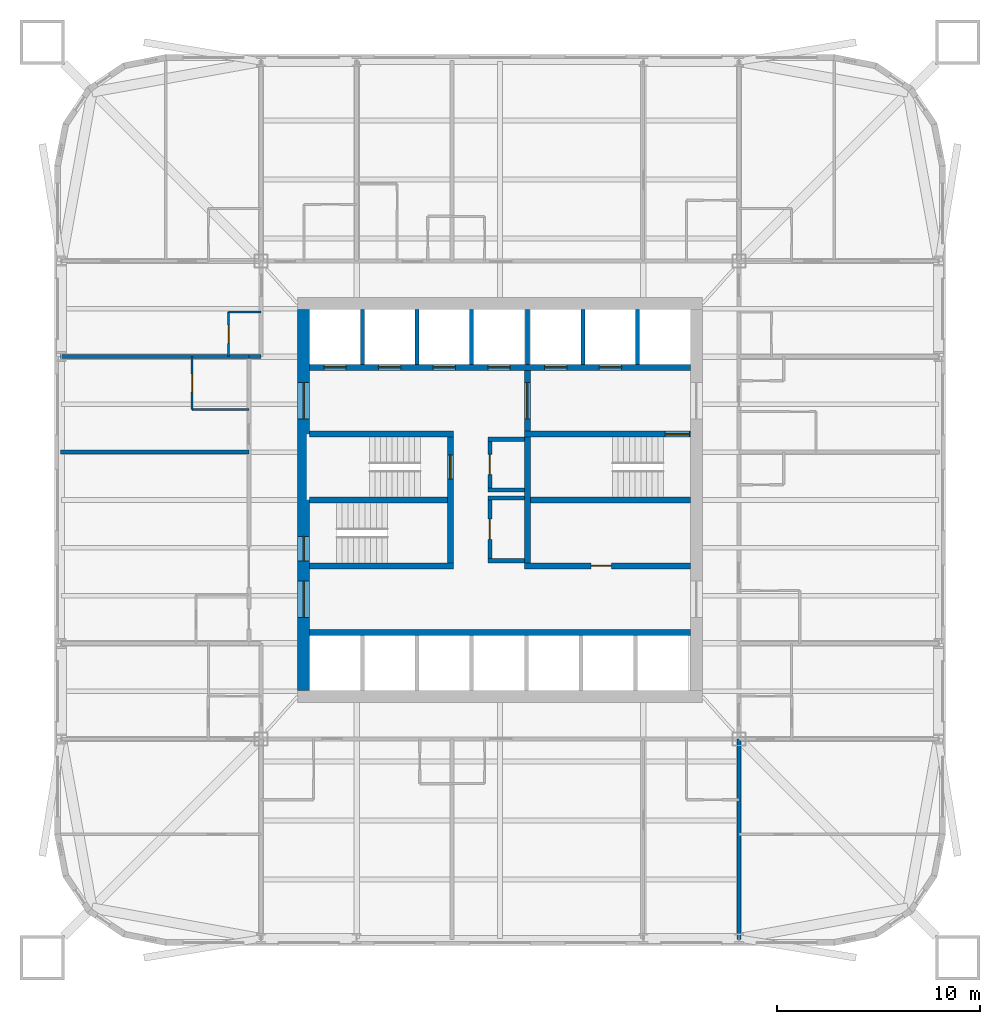
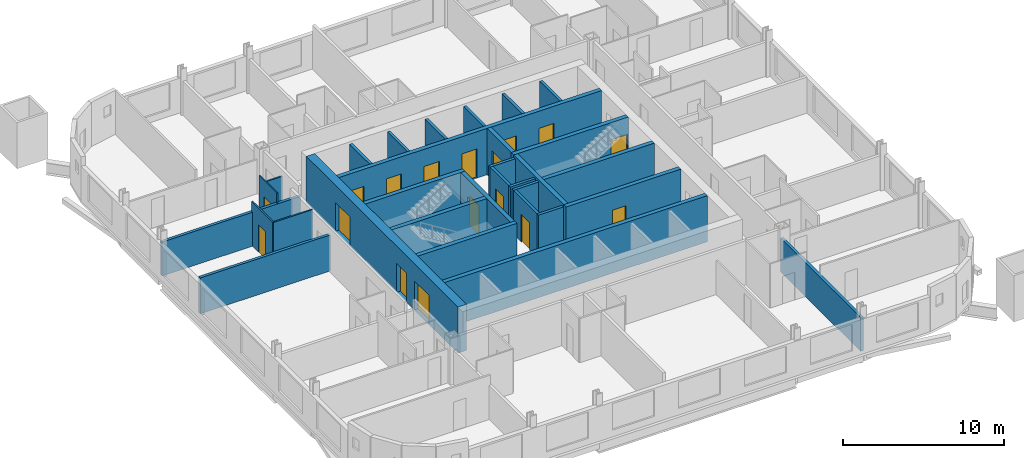
# One storey, part 4 of 9: 31 walls, 17 doors, 17 openings.
"""IFC4 building model written with IfcOpenShell, lengths in metres."""

from ifc_helpers import new_model, si_unit, direction, frame, frame_2d, origin, place, context, subcontext, project, spatial, rectangle, extrude, material, layer, layer_set, type_object, element, fill, save


model = new_model("IFC4")

# Units and contexts
model_context = context("Model", 3, precision=1e-05, world=origin(), true_north=direction((0.0, 1.0)))
body_context = subcontext(model_context, "Body", "Model", "MODEL_VIEW")
ifc_project = project(units=[si_unit("LENGTHUNIT", "METRE"), si_unit("AREAUNIT", "SQUARE_METRE"), si_unit("VOLUMEUNIT", "CUBIC_METRE"), si_unit("PLANEANGLEUNIT", "RADIAN"), si_unit("MASSUNIT", "GRAM", prefix="KILO")], contexts=[model_context])

# Site, building, storey
site_placement = place(None, origin())
site = spatial("IfcSite", under=ifc_project, at=site_placement, CompositionType="ELEMENT")
building_placement = place(site_placement, origin())
building = spatial("IfcBuilding", under=site, at=building_placement, Name="Turquesa Mirador Hotel Tower", CompositionType="ELEMENT")
storey_placement = place(building_placement, frame((0.0, 0.0, 81.0)))
storey = spatial("IfcBuildingStorey", under=building, at=storey_placement, Name="L21", CompositionType="ELEMENT", Elevation=81.0)

# Walls
ifc_material_1 = material(Name="Gypsum board on steel studs", Category="steel")
ifc_layer_1 = layer(ifc_material_1, 0.10009765625)
ifc_layer_set_1 = layer_set([ifc_layer_1], Name="BATHROOM WALL 100")
wall_type_1 = type_object("IfcWallType", Name="BATHROOM WALL 100", PredefinedType="PARTITIONING", material=ifc_layer_set_1)
wall_1_placement = place(storey_placement, frame((39.800048828125, 49.47998046875, 0.0), z_axis=(0.0, 0.0, 1.0), x_axis=(1.0, 0.0, 0.0)))
element("IfcWall", 1, at=wall_1_placement, inside=storey, type_object=wall_type_1, Name="Partition L21 033", PredefinedType="PARTITIONING", context=body_context, shape_type="SweptSolid", body=[
    extrude(rectangle(XDim=2.800048828125, YDim=0.10009765625, at=frame_2d((1.39990234375, 0.0))), origin(), (0.0, 0.0, 1.0), 3.330078125),
])
wall_2_placement = place(storey_placement, frame((41.60009765625, 54.280029296875, 0.0), z_axis=(0.0, 0.0, 1.0), x_axis=(1.0, 0.0, 0.0)))
element("IfcWall", 2, at=wall_2_placement, inside=storey, type_object=wall_type_1, Name="Partition L21 038", PredefinedType="PARTITIONING", context=body_context, shape_type="SweptSolid", body=[
    extrude(rectangle(XDim=1.599853515625, YDim=0.10009765625, at=frame_2d((0.7998046875, 0.0))), origin(), (0.0, 0.0, 1.0), 2.722900390625),
])

# Wall, opening, door
wall_3_placement = place(storey_placement, frame((41.60009765625, 52.080078125, 0.0), z_axis=(0.0, 0.0, 1.0), x_axis=(0.0, 1.0, 0.0)))
wall_3 = element("IfcWall", 3, at=wall_3_placement, inside=storey, type_object=wall_type_1, Name="Partition L21 047", PredefinedType="PARTITIONING", context=body_context, shape_type="SweptSolid", body=[
    extrude(rectangle(XDim=2.199951171875, YDim=0.10009765625, at=frame_2d((1.10009765625, 0.0))), origin(), (0.0, 0.0, 1.0), 3.330078125),
])
opening_1_placement = place(wall_3_placement, frame((0.64990234375, 0.0, 0.0)))
opening_1 = element("IfcOpeningElement", 4, at=opening_1_placement, cuts=wall_3, Name="Opening D06", PredefinedType="OPENING", context=body_context, shape_type="SweptSolid", body=[
    extrude(rectangle(XDim=0.89990234375, YDim=2.10009765625, at=frame_2d((0.449951171875, 1.050048828125))), frame((0.0, 0.06005859375, 0.0), z_axis=(0.0, -1.0, 0.0), x_axis=(1.0, 0.0, 0.0)), (0.0, 0.0, 1.0), 0.1201171875),
])
ifc_material_2 = material(Name="Laminate door", Category="wood")
door_type_1 = type_object("IfcDoorType", Name="DOOR 900X2100 WC", OperationType="SINGLE_SWING_LEFT", PredefinedType="DOOR", material=ifc_material_2)
door_1_placement = place(opening_1_placement, origin())
door_1 = element("IfcDoor", 5, at=door_1_placement, inside=storey, type_object=door_type_1, Name="Door 2110W", OperationType="SINGLE_SWING_LEFT", OverallHeight=2.10009765625, OverallWidth=0.89990234375, PredefinedType="DOOR", context=body_context, shape_type="SweptSolid", body=[
    extrude(rectangle(XDim=0.89990234375, YDim=2.10009765625, at=frame_2d((0.449951171875, 1.050048828125))), frame((0.0, 0.02490234375, 0.0), z_axis=(0.0, -1.0, 0.0), x_axis=(1.0, 0.0, 0.0)), (0.0, 0.0, 1.0), 0.050048828125),
])
fill(opening_1, door_1)

wall_4_placement = place(storey_placement, frame((39.800048828125, 49.47998046875, 0.0), z_axis=(0.0, 0.0, 1.0), x_axis=(0.0, 1.0, 0.0)))
wall_4 = element("IfcWall", 6, at=wall_4_placement, inside=storey, type_object=wall_type_1, Name="Partition L21 052", PredefinedType="PARTITIONING", context=body_context, shape_type="SweptSolid", body=[
    extrude(rectangle(XDim=2.60009765625, YDim=0.10009765625, at=frame_2d((1.300048828125, 0.0))), origin(), (0.0, 0.0, 1.0), 3.330078125),
])
opening_2_placement = place(wall_4_placement, frame((0.85009765625, 0.0, 0.0)))
opening_2 = element("IfcOpeningElement", 7, at=opening_2_placement, cuts=wall_4, Name="Opening D02", PredefinedType="OPENING", context=body_context, shape_type="SweptSolid", body=[
    extrude(rectangle(XDim=0.89990234375, YDim=2.10009765625, at=frame_2d((0.449951171875, 1.050048828125))), frame((0.0, 0.06005859375, 0.0), z_axis=(0.0, -1.0, 0.0), x_axis=(1.0, 0.0, 0.0)), (0.0, 0.0, 1.0), 0.1201171875),
])
ifc_material_3 = material(Name="Timber veneered door", Category="wood")
door_type_2 = type_object("IfcDoorType", Name="DOOR 900X2100 EN-SUITE", OperationType="SINGLE_SWING_RIGHT", PredefinedType="DOOR", material=ifc_material_3)
door_2_placement = place(opening_2_placement, origin())
door_2 = element("IfcDoor", 8, at=door_2_placement, inside=storey, type_object=door_type_2, Name="Door 2108B", OperationType="SINGLE_SWING_RIGHT", OverallHeight=2.10009765625, OverallWidth=0.89990234375, PredefinedType="DOOR", context=body_context, shape_type="SweptSolid", body=[
    extrude(rectangle(XDim=0.89990234375, YDim=2.10009765625, at=frame_2d((0.449951171875, 1.050048828125))), frame((0.0, 0.02490234375, 0.0), z_axis=(0.0, -1.0, 0.0), x_axis=(1.0, 0.0, 0.0)), (0.0, 0.0, 1.0), 0.050048828125),
])
fill(opening_2, door_2)

# Wall, openings, doors
ifc_material_4 = material(Name="Concrete C50/60", Category="concrete")
ifc_layer_2 = layer(ifc_material_4, 0.300048828125)
ifc_layer_set_2 = layer_set([ifc_layer_2], Name="CORE INNER WALL 300")
wall_type_2 = type_object("IfcWallType", Name="CORE INNER WALL 300", PredefinedType="SHEAR", material=ifc_layer_set_2)
wall_5_placement = place(storey_placement, frame((45.60009765625, 51.550048828125, 0.0), z_axis=(0.0, 0.0, 1.0), x_axis=(1.0, 0.0, 0.0)))
wall_5 = element("IfcWall", 9, at=wall_5_placement, inside=storey, type_object=wall_type_2, Name="Core wall NL", PredefinedType="SHEAR", context=body_context, shape_type="SweptSolid", body=[
    extrude(rectangle(XDim=18.7998046875, YDim=0.300048828125, at=frame_2d((9.39990234375, 0.0))), origin(), (0.0, 0.0, 1.0), 3.5),
])
opening_3_placement = place(wall_5_placement, frame((0.699951171875, 0.0, 0.0)))
opening_3 = element("IfcOpeningElement", 10, at=opening_3_placement, cuts=wall_5, Name="Opening LD", PredefinedType="OPENING", context=body_context, shape_type="SweptSolid", body=[
    extrude(rectangle(XDim=1.10009765625, YDim=2.199951171875, at=frame_2d((0.550048828125, 1.10009765625))), frame((0.0, 0.159912109375, 0.0), z_axis=(0.0, -1.0, 0.0), x_axis=(1.0, 0.0, 0.0)), (0.0, 0.0, 1.0), 0.320068359375),
])
opening_4_placement = place(wall_5_placement, frame((3.39990234375, 0.0, 0.0)))
opening_4 = element("IfcOpeningElement", 11, at=opening_4_placement, cuts=wall_5, Name="Opening LD", PredefinedType="OPENING", context=body_context, shape_type="SweptSolid", body=[
    extrude(rectangle(XDim=1.10009765625, YDim=2.199951171875, at=frame_2d((0.550048828125, 1.10009765625))), frame((0.0, 0.159912109375, 0.0), z_axis=(0.0, -1.0, 0.0), x_axis=(1.0, 0.0, 0.0)), (0.0, 0.0, 1.0), 0.320068359375),
])
opening_5_placement = place(wall_5_placement, frame((6.10009765625, 0.0, 0.0)))
opening_5 = element("IfcOpeningElement", 12, at=opening_5_placement, cuts=wall_5, Name="Opening LD", PredefinedType="OPENING", context=body_context, shape_type="SweptSolid", body=[
    extrude(rectangle(XDim=1.10009765625, YDim=2.199951171875, at=frame_2d((0.550048828125, 1.10009765625))), frame((0.0, 0.159912109375, 0.0), z_axis=(0.0, -1.0, 0.0), x_axis=(1.0, 0.0, 0.0)), (0.0, 0.0, 1.0), 0.320068359375),
])
opening_6_placement = place(wall_5_placement, frame((8.800048828125, 0.0, 0.0)))
opening_6 = element("IfcOpeningElement", 13, at=opening_6_placement, cuts=wall_5, Name="Opening LD", PredefinedType="OPENING", context=body_context, shape_type="SweptSolid", body=[
    extrude(rectangle(XDim=1.10009765625, YDim=2.199951171875, at=frame_2d((0.550048828125, 1.10009765625))), frame((0.0, 0.159912109375, 0.0), z_axis=(0.0, -1.0, 0.0), x_axis=(1.0, 0.0, 0.0)), (0.0, 0.0, 1.0), 0.320068359375),
])
opening_7_placement = place(wall_5_placement, frame((11.60009765625, 0.0, 0.0)))
opening_7 = element("IfcOpeningElement", 14, at=opening_7_placement, cuts=wall_5, Name="Opening LD", PredefinedType="OPENING", context=body_context, shape_type="SweptSolid", body=[
    extrude(rectangle(XDim=1.10009765625, YDim=2.199951171875, at=frame_2d((0.550048828125, 1.10009765625))), frame((0.0, 0.159912109375, 0.0), z_axis=(0.0, -1.0, 0.0), x_axis=(1.0, 0.0, 0.0)), (0.0, 0.0, 1.0), 0.320068359375),
])
opening_8_placement = place(wall_5_placement, frame((14.300048828125, 0.0, 0.0)))
opening_8 = element("IfcOpeningElement", 15, at=opening_8_placement, cuts=wall_5, Name="Opening LD", PredefinedType="OPENING", context=body_context, shape_type="SweptSolid", body=[
    extrude(rectangle(XDim=1.10009765625, YDim=2.199951171875, at=frame_2d((0.550048828125, 1.10009765625))), frame((0.0, 0.159912109375, 0.0), z_axis=(0.0, -1.0, 0.0), x_axis=(1.0, 0.0, 0.0)), (0.0, 0.0, 1.0), 0.320068359375),
])
ifc_material_5 = material(Name="Stainless steel lift landing door", Category="steel")
door_type_3 = type_object("IfcDoorType", Name="LIFT LANDING DOOR 1100X2200", OperationType="SLIDING_TO_LEFT", PredefinedType="DOOR", material=ifc_material_5)
door_3_placement = place(opening_3_placement, origin())
door_3 = element("IfcDoor", 16, at=door_3_placement, inside=storey, type_object=door_type_3, Name="Lift A1 landing door", OperationType="SLIDING_TO_LEFT", OverallHeight=2.199951171875, OverallWidth=1.10009765625, PredefinedType="DOOR", context=body_context, shape_type="SweptSolid", body=[
    extrude(rectangle(XDim=1.10009765625, YDim=2.199951171875, at=frame_2d((0.550048828125, 1.10009765625))), frame((0.0, 0.02490234375, 0.0), z_axis=(0.0, -1.0, 0.0), x_axis=(1.0, 0.0, 0.0)), (0.0, 0.0, 1.0), 0.050048828125),
])
fill(opening_3, door_3)
door_4_placement = place(opening_4_placement, origin())
door_4 = element("IfcDoor", 17, at=door_4_placement, inside=storey, type_object=door_type_3, Name="Lift A2 landing door", OperationType="SLIDING_TO_LEFT", OverallHeight=2.199951171875, OverallWidth=1.10009765625, PredefinedType="DOOR", context=body_context, shape_type="SweptSolid", body=[
    extrude(rectangle(XDim=1.10009765625, YDim=2.199951171875, at=frame_2d((0.550048828125, 1.10009765625))), frame((0.0, 0.02490234375, 0.0), z_axis=(0.0, -1.0, 0.0), x_axis=(1.0, 0.0, 0.0)), (0.0, 0.0, 1.0), 0.050048828125),
])
fill(opening_4, door_4)
door_5_placement = place(opening_5_placement, origin())
door_5 = element("IfcDoor", 18, at=door_5_placement, inside=storey, type_object=door_type_3, Name="Lift A3 landing door", OperationType="SLIDING_TO_LEFT", OverallHeight=2.199951171875, OverallWidth=1.10009765625, PredefinedType="DOOR", context=body_context, shape_type="SweptSolid", body=[
    extrude(rectangle(XDim=1.10009765625, YDim=2.199951171875, at=frame_2d((0.550048828125, 1.10009765625))), frame((0.0, 0.02490234375, 0.0), z_axis=(0.0, -1.0, 0.0), x_axis=(1.0, 0.0, 0.0)), (0.0, 0.0, 1.0), 0.050048828125),
])
fill(opening_5, door_5)
door_6_placement = place(opening_6_placement, origin())
door_6 = element("IfcDoor", 19, at=door_6_placement, inside=storey, type_object=door_type_3, Name="Lift A4 landing door", OperationType="SLIDING_TO_LEFT", OverallHeight=2.199951171875, OverallWidth=1.10009765625, PredefinedType="DOOR", context=body_context, shape_type="SweptSolid", body=[
    extrude(rectangle(XDim=1.10009765625, YDim=2.199951171875, at=frame_2d((0.550048828125, 1.10009765625))), frame((0.0, 0.02490234375, 0.0), z_axis=(0.0, -1.0, 0.0), x_axis=(1.0, 0.0, 0.0)), (0.0, 0.0, 1.0), 0.050048828125),
])
fill(opening_6, door_6)
door_7_placement = place(opening_7_placement, origin())
door_7 = element("IfcDoor", 20, at=door_7_placement, inside=storey, type_object=door_type_3, Name="Lift S1 landing door", OperationType="SLIDING_TO_LEFT", OverallHeight=2.199951171875, OverallWidth=1.10009765625, PredefinedType="DOOR", context=body_context, shape_type="SweptSolid", body=[
    extrude(rectangle(XDim=1.10009765625, YDim=2.199951171875, at=frame_2d((0.550048828125, 1.10009765625))), frame((0.0, 0.02490234375, 0.0), z_axis=(0.0, -1.0, 0.0), x_axis=(1.0, 0.0, 0.0)), (0.0, 0.0, 1.0), 0.050048828125),
])
fill(opening_7, door_7)
door_8_placement = place(opening_8_placement, origin())
door_8 = element("IfcDoor", 21, at=door_8_placement, inside=storey, type_object=door_type_3, Name="Lift S2 landing door", OperationType="SLIDING_TO_LEFT", OverallHeight=2.199951171875, OverallWidth=1.10009765625, PredefinedType="DOOR", context=body_context, shape_type="SweptSolid", body=[
    extrude(rectangle(XDim=1.10009765625, YDim=2.199951171875, at=frame_2d((0.550048828125, 1.10009765625))), frame((0.0, 0.02490234375, 0.0), z_axis=(0.0, -1.0, 0.0), x_axis=(1.0, 0.0, 0.0)), (0.0, 0.0, 1.0), 0.050048828125),
])
fill(opening_8, door_8)

# Walls
wall_6_placement = place(storey_placement, frame((45.60009765625, 38.449951171875, 0.0), z_axis=(0.0, 0.0, 1.0), x_axis=(1.0, 0.0, 0.0)))
element("IfcWall", 22, at=wall_6_placement, inside=storey, type_object=wall_type_2, Name="Core wall SL", PredefinedType="SHEAR", context=body_context, shape_type="SweptSolid", body=[
    extrude(rectangle(XDim=18.7998046875, YDim=0.300048828125, at=frame_2d((9.39990234375, 0.0))), origin(), (0.0, 0.0, 1.0), 3.5),
])
wall_7_placement = place(storey_placement, frame((45.60009765625, 48.25, 0.0), z_axis=(0.0, 0.0, 1.0), x_axis=(1.0, 0.0, 0.0)))
element("IfcWall", 23, at=wall_7_placement, inside=storey, type_object=wall_type_2, Name="Core wall MN-W", PredefinedType="SHEAR", context=body_context, shape_type="SweptSolid", body=[
    extrude(rectangle(XDim=7.099853515625, YDim=0.300048828125, at=frame_2d((3.5498046875, 0.0))), origin(), (0.0, 0.0, 1.0), 3.5),
])

# Wall, opening, door
wall_8_placement = place(storey_placement, frame((56.199951171875, 48.25, 0.0), z_axis=(0.0, 0.0, 1.0), x_axis=(1.0, 0.0, 0.0)))
wall_8 = element("IfcWall", 24, at=wall_8_placement, inside=storey, type_object=wall_type_2, Name="Core wall MN-E", PredefinedType="SHEAR", context=body_context, shape_type="SweptSolid", body=[
    extrude(rectangle(XDim=8.199951171875, YDim=0.300048828125, at=frame_2d((4.10009765625, 0.0))), origin(), (0.0, 0.0, 1.0), 3.5),
])
opening_9_placement = place(wall_8_placement, frame((6.949951171875, 0.0, 0.0)))
opening_9 = element("IfcOpeningElement", 25, at=opening_9_placement, cuts=wall_8, Name="Opening D03", PredefinedType="OPENING", context=body_context, shape_type="SweptSolid", body=[
    extrude(rectangle(XDim=1.199951171875, YDim=2.199951171875, at=frame_2d((0.60009765625, 1.10009765625))), frame((0.0, 0.159912109375, 0.0), z_axis=(0.0, -1.0, 0.0), x_axis=(1.0, 0.0, 0.0)), (0.0, 0.0, 1.0), 0.320068359375),
])
ifc_material_6 = material(Name="Steel fire door", Category="steel")
door_type_4 = type_object("IfcDoorType", Name="DOOR 1200X2200 STAIR", OperationType="SINGLE_SWING_LEFT", PredefinedType="DOOR", material=ifc_material_6)
door_9_placement = place(opening_9_placement, origin())
door_9 = element("IfcDoor", 26, at=door_9_placement, inside=storey, type_object=door_type_4, Name="Stair ST3 door", OperationType="SINGLE_SWING_LEFT", OverallHeight=2.199951171875, OverallWidth=1.199951171875, PredefinedType="DOOR", context=body_context, shape_type="SweptSolid", body=[
    extrude(rectangle(XDim=1.199951171875, YDim=2.199951171875, at=frame_2d((0.60009765625, 1.10009765625))), frame((0.0, 0.02490234375, 0.0), z_axis=(0.0, -1.0, 0.0), x_axis=(1.0, 0.0, 0.0)), (0.0, 0.0, 1.0), 0.050048828125),
])
fill(opening_9, door_9)

# Wall
wall_9_placement = place(storey_placement, frame((45.60009765625, 41.75, 0.0), z_axis=(0.0, 0.0, 1.0), x_axis=(1.0, 0.0, 0.0)))
element("IfcWall", 27, at=wall_9_placement, inside=storey, type_object=wall_type_2, Name="Core wall MS-W", PredefinedType="SHEAR", context=body_context, shape_type="SweptSolid", body=[
    extrude(rectangle(XDim=7.099853515625, YDim=0.300048828125, at=frame_2d((3.5498046875, 0.0))), origin(), (0.0, 0.0, 1.0), 3.5),
])

# Wall, opening, door
wall_10_placement = place(storey_placement, frame((56.199951171875, 41.75, 0.0), z_axis=(0.0, 0.0, 1.0), x_axis=(1.0, 0.0, 0.0)))
wall_10 = element("IfcWall", 28, at=wall_10_placement, inside=storey, type_object=wall_type_2, Name="Core wall MS-E", PredefinedType="SHEAR", context=body_context, shape_type="SweptSolid", body=[
    extrude(rectangle(XDim=8.199951171875, YDim=0.300048828125, at=frame_2d((4.10009765625, 0.0))), origin(), (0.0, 0.0, 1.0), 3.5),
])
opening_10_placement = place(wall_10_placement, frame((3.300048828125, 0.0, 0.0)))
opening_10 = element("IfcOpeningElement", 29, at=opening_10_placement, cuts=wall_10, Name="Opening D05", PredefinedType="OPENING", context=body_context, shape_type="SweptSolid", body=[
    extrude(rectangle(XDim=1.0, YDim=2.10009765625, at=frame_2d((0.5, 1.050048828125))), frame((0.0, 0.159912109375, 0.0), z_axis=(0.0, -1.0, 0.0), x_axis=(1.0, 0.0, 0.0)), (0.0, 0.0, 1.0), 0.320068359375),
])
ifc_material_7 = material(Name="Steel fire door", Category="steel")
door_type_5 = type_object("IfcDoorType", Name="DOOR 1000X2100 SERVICE", OperationType="SINGLE_SWING_LEFT", PredefinedType="DOOR", material=ifc_material_7)
door_10_placement = place(opening_10_placement, origin())
door_10 = element("IfcDoor", 30, at=door_10_placement, inside=storey, type_object=door_type_5, Name="Housekeeping room door", OperationType="SINGLE_SWING_LEFT", OverallHeight=2.10009765625, OverallWidth=1.0, PredefinedType="DOOR", context=body_context, shape_type="SweptSolid", body=[
    extrude(rectangle(XDim=1.0, YDim=2.10009765625, at=frame_2d((0.5, 1.050048828125))), frame((0.0, 0.02490234375, 0.0), z_axis=(0.0, -1.0, 0.0), x_axis=(1.0, 0.0, 0.0)), (0.0, 0.0, 1.0), 0.050048828125),
])
fill(opening_10, door_10)

wall_11_placement = place(storey_placement, frame((52.550048828125, 41.89990234375, 0.0), z_axis=(0.0, 0.0, 1.0), x_axis=(0.0, 1.0, 0.0)))
wall_11 = element("IfcWall", 31, at=wall_11_placement, inside=storey, type_object=wall_type_2, Name="Core wall PW", PredefinedType="SHEAR", context=body_context, shape_type="SweptSolid", body=[
    extrude(rectangle(XDim=6.2001953125, YDim=0.300048828125, at=frame_2d((3.10009765625, 0.0))), origin(), (0.0, 0.0, 1.0), 3.5),
])
opening_11_placement = place(wall_11_placement, frame((4.125, 0.0, 0.0)))
opening_11 = element("IfcOpeningElement", 32, at=opening_11_placement, cuts=wall_11, Name="Opening D03", PredefinedType="OPENING", context=body_context, shape_type="SweptSolid", body=[
    extrude(rectangle(XDim=1.199951171875, YDim=2.199951171875, at=frame_2d((0.60009765625, 1.10009765625))), frame((0.0, 0.159912109375, 0.0), z_axis=(0.0, -1.0, 0.0), x_axis=(1.0, 0.0, 0.0)), (0.0, 0.0, 1.0), 0.320068359375),
])
door_11_placement = place(opening_11_placement, origin())
door_11 = element("IfcDoor", 33, at=door_11_placement, inside=storey, type_object=door_type_4, Name="Stair ST1 door", OperationType="SINGLE_SWING_LEFT", OverallHeight=2.199951171875, OverallWidth=1.199951171875, PredefinedType="DOOR", context=body_context, shape_type="SweptSolid", body=[
    extrude(rectangle(XDim=1.199951171875, YDim=2.199951171875, at=frame_2d((0.60009765625, 1.10009765625))), frame((0.0, 0.02490234375, 0.0), z_axis=(0.0, -1.0, 0.0), x_axis=(1.0, 0.0, 0.0)), (0.0, 0.0, 1.0), 0.050048828125),
])
fill(opening_11, door_11)

wall_12_placement = place(storey_placement, frame((56.35009765625, 41.89990234375, 0.0), z_axis=(0.0, 0.0, 1.0), x_axis=(0.0, 1.0, 0.0)))
wall_12 = element("IfcWall", 34, at=wall_12_placement, inside=storey, type_object=wall_type_2, Name="Core wall PE", PredefinedType="SHEAR", context=body_context, shape_type="SweptSolid", body=[
    extrude(rectangle(XDim=9.5, YDim=0.300048828125, at=frame_2d((4.75, 0.0))), origin(), (0.0, 0.0, 1.0), 3.5),
])
opening_12_placement = place(wall_12_placement, frame((7.10009765625, 0.0, 0.0)))
opening_12 = element("IfcOpeningElement", 35, at=opening_12_placement, cuts=wall_12, Name="Opening D04", PredefinedType="OPENING", context=body_context, shape_type="SweptSolid", body=[
    extrude(rectangle(XDim=1.800048828125, YDim=2.199951171875, at=frame_2d((0.89990234375, 1.10009765625))), frame((0.0, 0.159912109375, 0.0), z_axis=(0.0, -1.0, 0.0), x_axis=(1.0, 0.0, 0.0)), (0.0, 0.0, 1.0), 0.320068359375),
])
ifc_material_8 = material(Name="Steel fire door pair", Category="steel")
door_type_6 = type_object("IfcDoorType", Name="DOOR 1800X2200 PAIR", OperationType="DOUBLE_DOOR_SINGLE_SWING", PredefinedType="DOOR", material=ifc_material_8)
door_12_placement = place(opening_12_placement, origin())
door_12 = element("IfcDoor", 36, at=door_12_placement, inside=storey, type_object=door_type_6, Name="Firefighting lobby inner door", OperationType="DOUBLE_DOOR_SINGLE_SWING", OverallHeight=2.199951171875, OverallWidth=1.800048828125, PredefinedType="DOOR", context=body_context, shape_type="SweptSolid", body=[
    extrude(rectangle(XDim=1.800048828125, YDim=2.199951171875, at=frame_2d((0.89990234375, 1.10009765625))), frame((0.0, 0.02490234375, 0.0), z_axis=(0.0, -1.0, 0.0), x_axis=(1.0, 0.0, 0.0)), (0.0, 0.0, 1.0), 0.050048828125),
])
fill(opening_12, door_12)

# Walls
wall_13_placement = place(storey_placement, frame((45.60009765625, 45.0, 0.0), z_axis=(0.0, 0.0, 1.0), x_axis=(1.0, 0.0, 0.0)))
element("IfcWall", 37, at=wall_13_placement, inside=storey, type_object=wall_type_2, Name="Core wall M0-W", PredefinedType="SHEAR", context=body_context, shape_type="SweptSolid", body=[
    extrude(rectangle(XDim=6.7998046875, YDim=0.300048828125, at=frame_2d((3.39990234375, 0.0))), origin(), (0.0, 0.0, 1.0), 3.5),
])
wall_14_placement = place(storey_placement, frame((56.5, 45.0, 0.0), z_axis=(0.0, 0.0, 1.0), x_axis=(1.0, 0.0, 0.0)))
element("IfcWall", 38, at=wall_14_placement, inside=storey, type_object=wall_type_2, Name="Core wall M0-E", PredefinedType="SHEAR", context=body_context, shape_type="SweptSolid", body=[
    extrude(rectangle(XDim=7.89990234375, YDim=0.300048828125, at=frame_2d((3.949951171875, 0.0))), origin(), (0.0, 0.0, 1.0), 3.5),
])

# Wall, openings, doors
ifc_material_9 = material(Name="Concrete C50/60", Category="concrete")
ifc_layer_3 = layer(ifc_material_9, 0.60009765625)
ifc_layer_set_3 = layer_set([ifc_layer_3], Name="CORE WALL 600")
wall_type_3 = type_object("IfcWallType", Name="CORE WALL 600", PredefinedType="SHEAR", material=ifc_layer_set_3)
wall_15_placement = place(storey_placement, frame((45.300048828125, 35.60009765625, 0.0), z_axis=(0.0, 0.0, 1.0), x_axis=(0.0, 1.0, 0.0)))
wall_15 = element("IfcWall", 39, at=wall_15_placement, inside=storey, type_object=wall_type_3, Name="Core wall W", PredefinedType="SHEAR", context=body_context, shape_type="SweptSolid", body=[
    extrude(rectangle(XDim=18.7998046875, YDim=0.60009765625, at=frame_2d((9.39990234375, 0.0))), origin(), (0.0, 0.0, 1.0), 3.5),
])
opening_13_placement = place(wall_15_placement, frame((13.39990234375, 0.0, 0.0)))
opening_13 = element("IfcOpeningElement", 40, at=opening_13_placement, cuts=wall_15, Name="Opening D04", PredefinedType="OPENING", context=body_context, shape_type="SweptSolid", body=[
    extrude(rectangle(XDim=1.800048828125, YDim=2.199951171875, at=frame_2d((0.89990234375, 1.10009765625))), frame((0.0, 0.31005859375, 0.0), z_axis=(0.0, -1.0, 0.0), x_axis=(1.0, 0.0, 0.0)), (0.0, 0.0, 1.0), 0.6201171875),
])
opening_14_placement = place(wall_15_placement, frame((3.60009765625, 0.0, 0.0)))
opening_14 = element("IfcOpeningElement", 41, at=opening_14_placement, cuts=wall_15, Name="Opening D04", PredefinedType="OPENING", context=body_context, shape_type="SweptSolid", body=[
    extrude(rectangle(XDim=1.800048828125, YDim=2.199951171875, at=frame_2d((0.89990234375, 1.10009765625))), frame((0.0, 0.31005859375, 0.0), z_axis=(0.0, -1.0, 0.0), x_axis=(1.0, 0.0, 0.0)), (0.0, 0.0, 1.0), 0.6201171875),
])
opening_15_placement = place(wall_15_placement, frame((6.39990234375, 0.0, 0.0)))
opening_15 = element("IfcOpeningElement", 42, at=opening_15_placement, cuts=wall_15, Name="Opening D03", PredefinedType="OPENING", context=body_context, shape_type="SweptSolid", body=[
    extrude(rectangle(XDim=1.199951171875, YDim=2.199951171875, at=frame_2d((0.60009765625, 1.10009765625))), frame((0.0, 0.31005859375, 0.0), z_axis=(0.0, -1.0, 0.0), x_axis=(1.0, 0.0, 0.0)), (0.0, 0.0, 1.0), 0.6201171875),
])
door_13_placement = place(opening_15_placement, origin())
door_13 = element("IfcDoor", 43, at=door_13_placement, inside=storey, type_object=door_type_4, Name="Stair ST2 door", OperationType="SINGLE_SWING_LEFT", OverallHeight=2.199951171875, OverallWidth=1.199951171875, PredefinedType="DOOR", context=body_context, shape_type="SweptSolid", body=[
    extrude(rectangle(XDim=1.199951171875, YDim=2.199951171875, at=frame_2d((0.60009765625, 1.10009765625))), frame((0.0, 0.02490234375, 0.0), z_axis=(0.0, -1.0, 0.0), x_axis=(1.0, 0.0, 0.0)), (0.0, 0.0, 1.0), 0.050048828125),
])
fill(opening_15, door_13)
door_14_placement = place(opening_13_placement, origin())
door_14 = element("IfcDoor", 44, at=door_14_placement, inside=storey, type_object=door_type_6, Name="North lift lobby door", OperationType="DOUBLE_DOOR_SINGLE_SWING", OverallHeight=2.199951171875, OverallWidth=1.800048828125, PredefinedType="DOOR", context=body_context, shape_type="SweptSolid", body=[
    extrude(rectangle(XDim=1.800048828125, YDim=2.199951171875, at=frame_2d((0.89990234375, 1.10009765625))), frame((0.0, 0.02490234375, 0.0), z_axis=(0.0, -1.0, 0.0), x_axis=(1.0, 0.0, 0.0)), (0.0, 0.0, 1.0), 0.050048828125),
])
fill(opening_13, door_14)
door_15_placement = place(opening_14_placement, origin())
door_15 = element("IfcDoor", 45, at=door_15_placement, inside=storey, type_object=door_type_6, Name="South lift lobby door", OperationType="DOUBLE_DOOR_SINGLE_SWING", OverallHeight=2.199951171875, OverallWidth=1.800048828125, PredefinedType="DOOR", context=body_context, shape_type="SweptSolid", body=[
    extrude(rectangle(XDim=1.800048828125, YDim=2.199951171875, at=frame_2d((0.89990234375, 1.10009765625))), frame((0.0, 0.02490234375, 0.0), z_axis=(0.0, -1.0, 0.0), x_axis=(1.0, 0.0, 0.0)), (0.0, 0.0, 1.0), 0.050048828125),
])
fill(opening_14, door_15)

# Wall
ifc_material_10 = material(Name="Fire-rated gypsum board on steel studs", Category="steel")
ifc_layer_4 = layer(ifc_material_10, 0.199951171875)
ifc_layer_set_4 = layer_set([ifc_layer_4], Name="CORRIDOR WALL 200")
wall_type_4 = type_object("IfcWallType", Name="CORRIDOR WALL 200", PredefinedType="PARTITIONING", material=ifc_layer_set_4)
wall_16_placement = place(storey_placement, frame((42.60009765625, 52.080078125, 0.0), z_axis=(0.0, 0.0, 1.0), x_axis=(1.0, 0.0, 0.0)))
element("IfcWall", 46, at=wall_16_placement, inside=storey, type_object=wall_type_4, Name="Partition L21 035", PredefinedType="PARTITIONING", context=body_context, shape_type="SweptSolid", body=[
    extrude(rectangle(XDim=0.599853515625, YDim=0.199951171875, at=frame_2d((0.2998046875, 0.0))), origin(), (0.0, 0.0, 1.0), 2.572998046875),
])

# Wall, opening, door
ifc_material_11 = material(Name="Fire-rated gypsum board on steel studs", Category="steel")
ifc_layer_5 = layer(ifc_material_11, 0.199951171875)
ifc_layer_set_5 = layer_set([ifc_layer_5], Name="FIRE PARTITION 200")
wall_type_5 = type_object("IfcWallType", Name="FIRE PARTITION 200", PredefinedType="PARTITIONING", material=ifc_layer_set_5)
wall_17_placement = place(storey_placement, frame((54.5, 42.0, 0.0), z_axis=(0.0, 0.0, 1.0), x_axis=(0.0, 1.0, 0.0)))
wall_17 = element("IfcWall", 47, at=wall_17_placement, inside=storey, type_object=wall_type_5, Name="Partition L21 BP W", PredefinedType="PARTITIONING", context=body_context, shape_type="SweptSolid", body=[
    extrude(rectangle(XDim=3.10009765625, YDim=0.199951171875, at=frame_2d((1.550048828125, 0.0))), origin(), (0.0, 0.0, 1.0), 3.330078125),
])
opening_16_placement = place(wall_17_placement, frame((1.050048828125, 0.0, 0.0)))
opening_16 = element("IfcOpeningElement", 48, at=opening_16_placement, cuts=wall_17, Name="Opening D05", PredefinedType="OPENING", context=body_context, shape_type="SweptSolid", body=[
    extrude(rectangle(XDim=1.0, YDim=2.10009765625, at=frame_2d((0.5, 1.050048828125))), frame((0.0, 0.10986328125, 0.0), z_axis=(0.0, -1.0, 0.0), x_axis=(1.0, 0.0, 0.0)), (0.0, 0.0, 1.0), 0.219970703125),
])
door_16_placement = place(opening_16_placement, origin())
door_16 = element("IfcDoor", 49, at=door_16_placement, inside=storey, type_object=door_type_5, Name="Lounge pantry door", OperationType="SINGLE_SWING_LEFT", OverallHeight=2.10009765625, OverallWidth=1.0, PredefinedType="DOOR", context=body_context, shape_type="SweptSolid", body=[
    extrude(rectangle(XDim=1.0, YDim=2.10009765625, at=frame_2d((0.5, 1.050048828125))), frame((0.0, 0.02490234375, 0.0), z_axis=(0.0, -1.0, 0.0), x_axis=(1.0, 0.0, 0.0)), (0.0, 0.0, 1.0), 0.050048828125),
])
fill(opening_16, door_16)

# Walls
for number, where, z_axis, x_axis, name in (
    (50, (54.39990234375, 42.0, 0.0), (0.0, 0.0, 1.0), (1.0, 0.0, 0.0), "Partition L21 BP S"),
    (51, (54.39990234375, 45.10009765625, 0.0), (0.0, 0.0, 1.0), (1.0, 0.0, 0.0), "Partition L21 BP N"),
):
    element("IfcWall", number, at=place(storey_placement, frame(where, z_axis=z_axis, x_axis=x_axis)), inside=storey, type_object=wall_type_5, Name=name, PredefinedType="PARTITIONING", context=body_context, shape_type="SweptSolid", body=[
        extrude(rectangle(XDim=1.800048828125, YDim=0.199951171875, at=frame_2d((0.89990234375, 0.0))), origin(), (0.0, 0.0, 1.0), 3.330078125),
    ])

# Wall, opening, door
wall_18_placement = place(storey_placement, frame((54.5, 45.5, 0.0), z_axis=(0.0, 0.0, 1.0), x_axis=(0.0, 1.0, 0.0)))
wall_18 = element("IfcWall", 52, at=wall_18_placement, inside=storey, type_object=wall_type_5, Name="Partition L21 BO W", PredefinedType="PARTITIONING", context=body_context, shape_type="SweptSolid", body=[
    extrude(rectangle(XDim=2.5, YDim=0.199951171875, at=frame_2d((1.25, 0.0))), origin(), (0.0, 0.0, 1.0), 3.330078125),
])
opening_17_placement = place(wall_18_placement, frame((0.75, 0.0, 0.0)))
opening_17 = element("IfcOpeningElement", 53, at=opening_17_placement, cuts=wall_18, Name="Opening D05", PredefinedType="OPENING", context=body_context, shape_type="SweptSolid", body=[
    extrude(rectangle(XDim=1.0, YDim=2.10009765625, at=frame_2d((0.5, 1.050048828125))), frame((0.0, 0.10986328125, 0.0), z_axis=(0.0, -1.0, 0.0), x_axis=(1.0, 0.0, 0.0)), (0.0, 0.0, 1.0), 0.219970703125),
])
door_17_placement = place(opening_17_placement, origin())
door_17 = element("IfcDoor", 54, at=door_17_placement, inside=storey, type_object=door_type_5, Name="Butler's pantry door", OperationType="SINGLE_SWING_LEFT", OverallHeight=2.10009765625, OverallWidth=1.0, PredefinedType="DOOR", context=body_context, shape_type="SweptSolid", body=[
    extrude(rectangle(XDim=1.0, YDim=2.10009765625, at=frame_2d((0.5, 1.050048828125))), frame((0.0, 0.02490234375, 0.0), z_axis=(0.0, -1.0, 0.0), x_axis=(1.0, 0.0, 0.0)), (0.0, 0.0, 1.0), 0.050048828125),
])
fill(opening_17, door_17)

# Walls
for number, where, z_axis, x_axis, name in (
    (55, (54.39990234375, 45.5, 0.0), (0.0, 0.0, 1.0), (1.0, 0.0, 0.0), "Partition L21 BO S"),
    (56, (54.39990234375, 48.0, 0.0), (0.0, 0.0, 1.0), (1.0, 0.0, 0.0), "Partition L21 BO N"),
):
    element("IfcWall", number, at=place(storey_placement, frame(where, z_axis=z_axis, x_axis=x_axis)), inside=storey, type_object=wall_type_5, Name=name, PredefinedType="PARTITIONING", context=body_context, shape_type="SweptSolid", body=[
        extrude(rectangle(XDim=1.800048828125, YDim=0.199951171875, at=frame_2d((0.89990234375, 0.0))), origin(), (0.0, 0.0, 1.0), 3.330078125),
    ])
ifc_material_12 = material(Name="Fire-rated gypsum shaft wall on steel studs", Category="steel")
ifc_layer_6 = layer(ifc_material_12, 0.199951171875)
ifc_layer_set_6 = layer_set([ifc_layer_6], Name="LIFT SHAFT DIVIDER 200")
wall_type_6 = type_object("IfcWallType", Name="LIFT SHAFT DIVIDER 200", PredefinedType="PARTITIONING", material=ifc_layer_set_6)
for number, where, z_axis, x_axis, name in (
    (57, (48.199951171875, 51.699951171875, 0.0), (0.0, 0.0, 1.0), (0.0, 1.0, 0.0), "Lift shaft divider"),
    (58, (50.89990234375, 51.699951171875, 0.0), (0.0, 0.0, 1.0), (0.0, 1.0, 0.0), "Lift shaft divider"),
    (59, (53.60009765625, 51.699951171875, 0.0), (0.0, 0.0, 1.0), (0.0, 1.0, 0.0), "Lift shaft divider"),
    (60, (59.10009765625, 51.699951171875, 0.0), (0.0, 0.0, 1.0), (0.0, 1.0, 0.0), "Lift shaft divider"),
    (61, (61.800048828125, 51.699951171875, 0.0), (0.0, 0.0, 1.0), (0.0, 1.0, 0.0), "Lift shaft divider"),
    (62, (56.35009765625, 51.699951171875, 0.0), (0.0, 0.0, 1.0), (0.0, 1.0, 0.0), "Lift shaft divider"),
):
    element("IfcWall", number, at=place(storey_placement, frame(where, z_axis=z_axis, x_axis=x_axis)), inside=storey, type_object=wall_type_6, Name=name, PredefinedType="PARTITIONING", context=body_context, shape_type="SweptSolid", body=[
        extrude(rectangle(XDim=2.699951171875, YDim=0.199951171875, at=frame_2d((1.35009765625, 0.0))), origin(), (0.0, 0.0, 1.0), 3.330078125),
    ])
ifc_material_13 = material(Name="Fire-rated gypsum board on steel studs", Category="steel")
ifc_layer_7 = layer(ifc_material_13, 0.199951171875)
ifc_layer_set_7 = layer_set([ifc_layer_7], Name="PARTY WALL 200")
wall_type_7 = type_object("IfcWallType", Name="PARTY WALL 200", PredefinedType="PARTITIONING", material=ifc_layer_set_7)
wall_19_placement = place(storey_placement, frame((33.300048828125, 47.360107421875, 0.0), z_axis=(0.0, 0.0, 1.0), x_axis=(1.0, 0.0, 0.0)))
element("IfcWall", 63, at=wall_19_placement, inside=storey, type_object=wall_type_7, Name="Partition L21 030", PredefinedType="PARTITIONING", context=body_context, shape_type="SweptSolid", body=[
    extrude(rectangle(XDim=9.300048828125, YDim=0.199951171875, at=frame_2d((4.64990234375, 0.0))), origin(), (0.0, 0.0, 1.0), 2.722900390625),
])
wall_20_placement = place(storey_placement, frame((33.300048828125, 52.080078125, 0.0), z_axis=(0.0, 0.0, 1.0), x_axis=(1.0, 0.0, 0.0)))
element("IfcWall", 64, at=wall_20_placement, inside=storey, type_object=wall_type_7, Name="Partition L21 036", PredefinedType="PARTITIONING", context=body_context, shape_type="SweptSolid", body=[
    extrude(rectangle(XDim=9.300048828125, YDim=0.199951171875, at=frame_2d((4.64990234375, 0.0))), origin(), (0.0, 0.0, 1.0), 2.572998046875),
])
wall_21_placement = place(storey_placement, frame((66.800048828125, 23.300048828125, 0.0), z_axis=(0.0, 0.0, 1.0), x_axis=(0.0, 1.0, 0.0)))
element("IfcWall", 65, at=wall_21_placement, inside=storey, type_object=wall_type_7, Name="Partition L21 063", PredefinedType="PARTITIONING", context=body_context, shape_type="SweptSolid", body=[
    extrude(rectangle(XDim=9.89990234375, YDim=0.199951171875, at=frame_2d((4.949951171875, 0.0))), origin(), (0.0, 0.0, 1.0), 2.572998046875),
])

save(model, "model.ifc")
